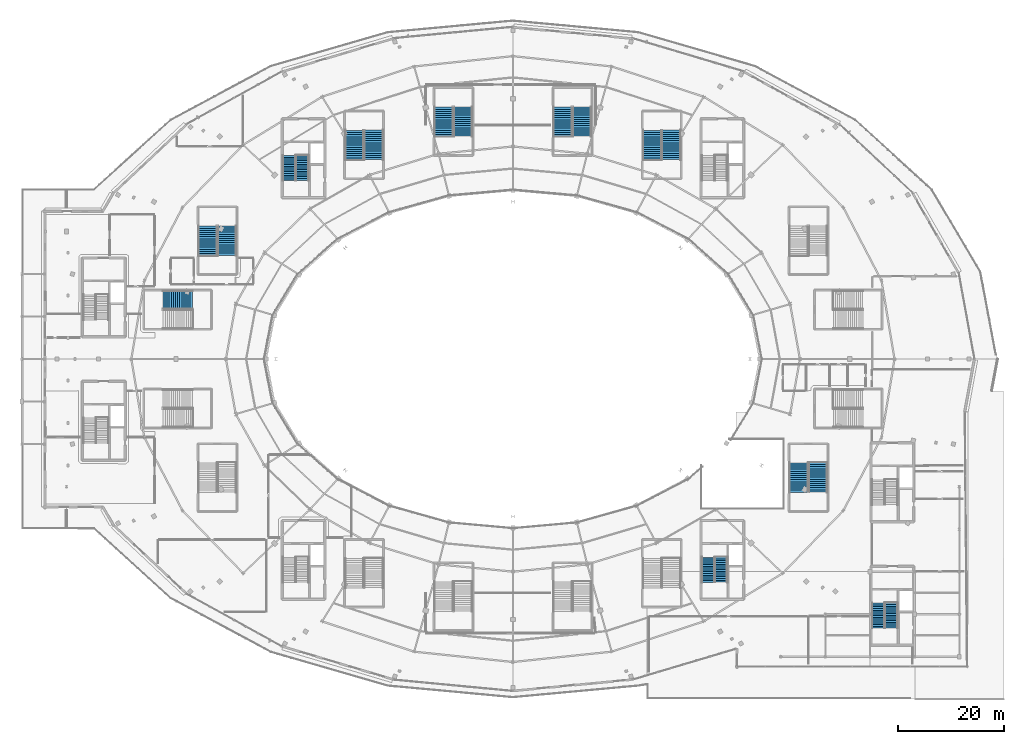
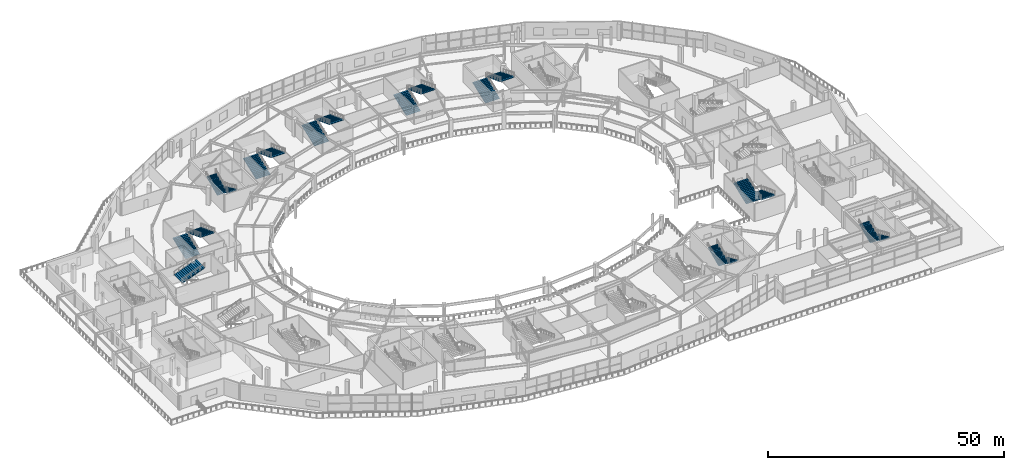
# One storey, part 84 of 107: 19 stair flights, 10 elements without a shape of their own.
"""IFC4 building model written with IfcOpenShell, lengths in metres."""

from ifc_helpers import new_model, si_unit, direction, frame, origin, place, context, subcontext, project, spatial, polyline, outline, extrude, material, type_object, element, aggregate, save


model = new_model("IFC4")

# Units and contexts
model_context = context("Model", 3, precision=1e-05, world=origin(), true_north=direction((0.0, 1.0)))
body_context = subcontext(model_context, "Body", "Model", "MODEL_VIEW")
ifc_project = project(units=[si_unit("LENGTHUNIT", "METRE"), si_unit("AREAUNIT", "SQUARE_METRE"), si_unit("VOLUMEUNIT", "CUBIC_METRE"), si_unit("PLANEANGLEUNIT", "RADIAN"), si_unit("MASSUNIT", "GRAM", prefix="KILO")], contexts=[model_context])

# Site, building, storey
site_placement = place(None, origin())
site = spatial("IfcSite", under=ifc_project, at=site_placement, CompositionType="ELEMENT")
building_placement = place(site_placement, origin())
building = spatial("IfcBuilding", under=site, at=building_placement, Name="Kalgoora Escarpment Arena", CompositionType="ELEMENT")
storey_placement = place(building_placement, frame((0.0, 0.0, 5.39990234375)))
storey = spatial("IfcBuildingStorey", under=building, at=storey_placement, Name="L01", CompositionType="ELEMENT", Elevation=5.39990234375)

# Stair, stair flights
ifc_material_1 = material(Name="Concrete N40 (fc' 40 MPa)", Category="concrete")
stair_type_1 = type_object("IfcStairType", Name="STR-EXIT-2", PredefinedType="HALF_TURN_STAIR", material=ifc_material_1)
stair_1_placement = place(storey_placement, origin())
stair_1 = element("IfcStair", 1, at=stair_1_placement, inside=storey, type_object=stair_type_1, Name="Fire-isolated exit stair ST06 (L01)", PredefinedType="HALF_TURN_STAIR")
ifc_material_2 = material(Name="Concrete N40 (fc' 40 MPa)", Category="concrete")
stair_flight_type_1 = type_object("IfcStairFlightType", Name="FLT-EXIT-2", PredefinedType="STRAIGHT", material=ifc_material_2)
stair_flight_1_placement = place(storey_placement, frame((131.5576171875, 26.72998046875, 0.0), z_axis=(0.0, 0.0, 1.0), x_axis=(0.0, -1.0, 0.0)))
stair_flight_1 = element("IfcStairFlight", 2, at=stair_flight_1_placement, type_object=stair_flight_type_1, Name="ST06 L01 lower flight", NumberOfRisers=15, NumberOfTreads=14, PredefinedType="STRAIGHT", RiserHeight=0.15, TreadLength=0.335, context=body_context, shape_type="SweptSolid", body=[
    extrude(outline(polyline([(0.0, 0.0), (0.0, 0.14990234375), (0.3349609375, 0.14990234375), (0.3349609375, 0.300048828125), (0.669921875, 0.300048828125), (0.669921875, 0.449951171875), (1.0048828125, 0.449951171875), (1.0048828125, 0.60009765625), (1.340087890625, 0.60009765625), (1.340087890625, 0.75), (1.675048828125, 0.75), (1.675048828125, 0.89990234375), (2.010009765625, 0.89990234375), (2.010009765625, 1.050048828125), (2.344970703125, 1.050048828125), (2.344970703125, 1.199951171875), (2.679931640625, 1.199951171875), (2.679931640625, 1.35009765625), (3.014892578125, 1.35009765625), (3.014892578125, 1.5), (3.35009765625, 1.5), (3.35009765625, 1.64990234375), (3.68505859375, 1.64990234375), (3.68505859375, 1.800048828125), (4.02001953125, 1.800048828125), (4.02001953125, 1.949951171875), (4.35498046875, 1.949951171875), (4.35498046875, 2.10009765625), (4.68994140625, 2.10009765625), (4.68994140625, 2.25), (4.68994140625, 1.913818359375), (0.415771484375, 0.0), (0.0, 0.0)])), frame((0.0, 1.1923828125, 0.0), z_axis=(0.0, -1.0, 0.0), x_axis=(1.0, 0.0, 0.0)), (0.0, 0.0, 1.0), 2.385009765625),
])
stair_flight_2_placement = place(storey_placement, frame((129.142578125, 21.97998046875, 2.25), z_axis=(0.0, 0.0, 1.0), x_axis=(0.0, 1.0, 0.0)))
stair_flight_2 = element("IfcStairFlight", 3, at=stair_flight_2_placement, type_object=stair_flight_type_1, Name="ST06 L01 upper flight", NumberOfRisers=15, NumberOfTreads=14, PredefinedType="STRAIGHT", RiserHeight=0.15, TreadLength=0.335, context=body_context, shape_type="SweptSolid", body=[
    extrude(outline(polyline([(0.0, 0.0), (0.0, 0.14990234375), (0.3349609375, 0.14990234375), (0.3349609375, 0.300048828125), (0.669921875, 0.300048828125), (0.669921875, 0.449951171875), (1.0048828125, 0.449951171875), (1.0048828125, 0.60009765625), (1.340087890625, 0.60009765625), (1.340087890625, 0.75), (1.675048828125, 0.75), (1.675048828125, 0.89990234375), (2.010009765625, 0.89990234375), (2.010009765625, 1.050048828125), (2.344970703125, 1.050048828125), (2.344970703125, 1.199951171875), (2.679931640625, 1.199951171875), (2.679931640625, 1.35009765625), (3.014892578125, 1.35009765625), (3.014892578125, 1.5), (3.35009765625, 1.5), (3.35009765625, 1.64990234375), (3.68505859375, 1.64990234375), (3.68505859375, 1.800048828125), (4.02001953125, 1.800048828125), (4.02001953125, 1.949951171875), (4.35498046875, 1.949951171875), (4.35498046875, 2.10009765625), (4.68994140625, 2.10009765625), (4.68994140625, 2.25), (4.68994140625, 1.913818359375), (0.415771484375, 0.0), (0.0, 0.0)])), frame((0.0, 1.1923828125, 0.0), z_axis=(0.0, -1.0, 0.0), x_axis=(1.0, 0.0, 0.0)), (0.0, 0.0, 1.0), 2.385009765625),
])
aggregate(stair_1, [stair_flight_1, stair_flight_2])

ifc_material_3 = material(Name="Concrete N40 (fc' 40 MPa)", Category="concrete")
stair_type_2 = type_object("IfcStairType", Name="STR-EXIT-3", PredefinedType="HALF_TURN_STAIR", material=ifc_material_3)
stair_2_placement = place(storey_placement, origin())
stair_2 = element("IfcStair", 4, at=stair_2_placement, inside=storey, type_object=stair_type_2, Name="Fire-isolated exit stair ST03 (L01)", PredefinedType="HALF_TURN_STAIR")
ifc_material_4 = material(Name="Concrete N40 (fc' 40 MPa)", Category="concrete")
stair_flight_type_2 = type_object("IfcStairFlightType", Name="FLT-EXIT-3", PredefinedType="STRAIGHT", material=ifc_material_4)
stair_flight_3_placement = place(storey_placement, frame((52.7548828125, 102.330078125, 0.0), z_axis=(0.0, 0.0, 1.0), x_axis=(0.0, -1.0, 0.0)))
stair_flight_3 = element("IfcStairFlight", 5, at=stair_flight_3_placement, type_object=stair_flight_type_2, Name="ST03 L01 lower flight", NumberOfRisers=15, NumberOfTreads=14, PredefinedType="STRAIGHT", RiserHeight=0.15, TreadLength=0.335, context=body_context, shape_type="SweptSolid", body=[
    extrude(outline(polyline([(0.0, 0.0), (0.0, 0.14990234375), (0.3349609375, 0.14990234375), (0.3349609375, 0.300048828125), (0.669921875, 0.300048828125), (0.669921875, 0.449951171875), (1.0048828125, 0.449951171875), (1.0048828125, 0.60009765625), (1.340087890625, 0.60009765625), (1.340087890625, 0.75), (1.675048828125, 0.75), (1.675048828125, 0.89990234375), (2.010009765625, 0.89990234375), (2.010009765625, 1.050048828125), (2.344970703125, 1.050048828125), (2.344970703125, 1.199951171875), (2.679931640625, 1.199951171875), (2.679931640625, 1.35009765625), (3.014892578125, 1.35009765625), (3.014892578125, 1.5), (3.35009765625, 1.5), (3.35009765625, 1.64990234375), (3.68505859375, 1.64990234375), (3.68505859375, 1.800048828125), (4.02001953125, 1.800048828125), (4.02001953125, 1.949951171875), (4.35498046875, 1.949951171875), (4.35498046875, 2.10009765625), (4.68994140625, 2.10009765625), (4.68994140625, 2.25), (4.68994140625, 1.913818359375), (0.415771484375, 0.0), (0.0, 0.0)])), frame((0.0, 1.19482421875, 0.0), z_axis=(0.0, -1.0, 0.0), x_axis=(1.0, 0.0, 0.0)), (0.0, 0.0, 1.0), 2.389892578125),
])
stair_flight_4_placement = place(storey_placement, frame((50.344970703125, 97.580078125, 2.25), z_axis=(0.0, 0.0, 1.0), x_axis=(0.0, 1.0, 0.0)))
stair_flight_4 = element("IfcStairFlight", 6, at=stair_flight_4_placement, type_object=stair_flight_type_2, Name="ST03 L01 upper flight", NumberOfRisers=15, NumberOfTreads=14, PredefinedType="STRAIGHT", RiserHeight=0.15, TreadLength=0.335, context=body_context, shape_type="SweptSolid", body=[
    extrude(outline(polyline([(0.0, 0.0), (0.0, 0.14990234375), (0.3349609375, 0.14990234375), (0.3349609375, 0.300048828125), (0.669921875, 0.300048828125), (0.669921875, 0.449951171875), (1.0048828125, 0.449951171875), (1.0048828125, 0.60009765625), (1.340087890625, 0.60009765625), (1.340087890625, 0.75), (1.675048828125, 0.75), (1.675048828125, 0.89990234375), (2.010009765625, 0.89990234375), (2.010009765625, 1.050048828125), (2.344970703125, 1.050048828125), (2.344970703125, 1.199951171875), (2.679931640625, 1.199951171875), (2.679931640625, 1.35009765625), (3.014892578125, 1.35009765625), (3.014892578125, 1.5), (3.35009765625, 1.5), (3.35009765625, 1.64990234375), (3.68505859375, 1.64990234375), (3.68505859375, 1.800048828125), (4.02001953125, 1.800048828125), (4.02001953125, 1.949951171875), (4.35498046875, 1.949951171875), (4.35498046875, 2.10009765625), (4.68994140625, 2.10009765625), (4.68994140625, 2.25), (4.68994140625, 1.913818359375), (0.415771484375, 0.0), (0.0, 0.0)])), frame((0.0, 1.19482421875, 0.0), z_axis=(0.0, -1.0, 0.0), x_axis=(1.0, 0.0, 0.0)), (0.0, 0.0, 1.0), 2.389892578125),
])
aggregate(stair_2, [stair_flight_3, stair_flight_4])

ifc_material_5 = material(Name="Concrete N40 (fc' 40 MPa)", Category="concrete")
stair_type_3 = type_object("IfcStairType", Name="STR-EXIT-4", PredefinedType="HALF_TURN_STAIR", material=ifc_material_5)
stair_3_placement = place(storey_placement, origin())
stair_3 = element("IfcStair", 7, at=stair_3_placement, inside=storey, type_object=stair_type_3, Name="Fire-isolated exit stair ST08 (L01)", PredefinedType="HALF_TURN_STAIR")
ifc_material_6 = material(Name="Concrete N40 (fc' 40 MPa)", Category="concrete")
stair_flight_type_3 = type_object("IfcStairFlightType", Name="FLT-EXIT-4", PredefinedType="STRAIGHT", material=ifc_material_6)
stair_flight_5_placement = place(storey_placement, frame((163.552490234375, 18.1298828125, 0.0), z_axis=(0.0, 0.0, 1.0), x_axis=(0.0, -1.0, 0.0)))
stair_flight_5 = element("IfcStairFlight", 8, at=stair_flight_5_placement, type_object=stair_flight_type_3, Name="ST08 L01 lower flight", NumberOfRisers=15, NumberOfTreads=14, PredefinedType="STRAIGHT", RiserHeight=0.15, TreadLength=0.335, context=body_context, shape_type="SweptSolid", body=[
    extrude(outline(polyline([(0.0, 0.0), (0.0, 0.14990234375), (0.3349609375, 0.14990234375), (0.3349609375, 0.300048828125), (0.669921875, 0.300048828125), (0.669921875, 0.449951171875), (1.0048828125, 0.449951171875), (1.0048828125, 0.60009765625), (1.340087890625, 0.60009765625), (1.340087890625, 0.75), (1.675048828125, 0.75), (1.675048828125, 0.89990234375), (2.010009765625, 0.89990234375), (2.010009765625, 1.050048828125), (2.344970703125, 1.050048828125), (2.344970703125, 1.199951171875), (2.679931640625, 1.199951171875), (2.679931640625, 1.35009765625), (3.014892578125, 1.35009765625), (3.014892578125, 1.5), (3.35009765625, 1.5), (3.35009765625, 1.64990234375), (3.68505859375, 1.64990234375), (3.68505859375, 1.800048828125), (4.02001953125, 1.800048828125), (4.02001953125, 1.949951171875), (4.35498046875, 1.949951171875), (4.35498046875, 2.10009765625), (4.68994140625, 2.10009765625), (4.68994140625, 2.25), (4.68994140625, 1.913818359375), (0.415771484375, 0.0), (0.0, 0.0)])), frame((0.0, 1.197509765625, 0.0), z_axis=(0.0, -1.0, 0.0), x_axis=(1.0, 0.0, 0.0)), (0.0, 0.0, 1.0), 2.39501953125),
])
stair_flight_6_placement = place(storey_placement, frame((161.1474609375, 13.3798828125, 2.25), z_axis=(0.0, 0.0, 1.0), x_axis=(0.0, 1.0, 0.0)))
stair_flight_6 = element("IfcStairFlight", 9, at=stair_flight_6_placement, type_object=stair_flight_type_3, Name="ST08 L01 upper flight", NumberOfRisers=15, NumberOfTreads=14, PredefinedType="STRAIGHT", RiserHeight=0.15, TreadLength=0.335, context=body_context, shape_type="SweptSolid", body=[
    extrude(outline(polyline([(0.0, 0.0), (0.0, 0.14990234375), (0.3349609375, 0.14990234375), (0.3349609375, 0.300048828125), (0.669921875, 0.300048828125), (0.669921875, 0.449951171875), (1.0048828125, 0.449951171875), (1.0048828125, 0.60009765625), (1.340087890625, 0.60009765625), (1.340087890625, 0.75), (1.675048828125, 0.75), (1.675048828125, 0.89990234375), (2.010009765625, 0.89990234375), (2.010009765625, 1.050048828125), (2.344970703125, 1.050048828125), (2.344970703125, 1.199951171875), (2.679931640625, 1.199951171875), (2.679931640625, 1.35009765625), (3.014892578125, 1.35009765625), (3.014892578125, 1.5), (3.35009765625, 1.5), (3.35009765625, 1.64990234375), (3.68505859375, 1.64990234375), (3.68505859375, 1.800048828125), (4.02001953125, 1.800048828125), (4.02001953125, 1.949951171875), (4.35498046875, 1.949951171875), (4.35498046875, 2.10009765625), (4.68994140625, 2.10009765625), (4.68994140625, 2.25), (4.68994140625, 1.913818359375), (0.415771484375, 0.0), (0.0, 0.0)])), frame((0.0, 1.197509765625, 0.0), z_axis=(0.0, -1.0, 0.0), x_axis=(1.0, 0.0, 0.0)), (0.0, 0.0, 1.0), 2.39501953125),
])
aggregate(stair_3, [stair_flight_5, stair_flight_6])

ifc_material_7 = material(Name="Precast concrete N50 (fc' 50 MPa)", Category="concrete")
stair_type_4 = type_object("IfcStairType", Name="STR-STAD-1", PredefinedType="HALF_TURN_STAIR", material=ifc_material_7)
stair_4_placement = place(storey_placement, origin())
stair_4 = element("IfcStair", 10, at=stair_4_placement, inside=storey, type_object=stair_type_4, Name="Fire-isolated exit stair ST09 (L01)", PredefinedType="HALF_TURN_STAIR")
ifc_material_8 = material(Name="Precast concrete N50 (fc' 50 MPa)", Category="concrete")
stair_flight_type_4 = type_object("IfcStairFlightType", Name="FLT-STAD-1", PredefinedType="STRAIGHT", material=ifc_material_8)
stair_flight_7_placement = place(storey_placement, frame((62.592529296875, 101.469970703125, 0.0), z_axis=(0.0, 0.0, 1.0), x_axis=(0.0, 1.0, 0.0)))
stair_flight_7 = element("IfcStairFlight", 11, at=stair_flight_7_placement, type_object=stair_flight_type_4, Name="ST09 L01 lower flight", NumberOfRisers=15, NumberOfTreads=14, PredefinedType="STRAIGHT", RiserHeight=0.15, TreadLength=0.395, context=body_context, shape_type="SweptSolid", body=[
    extrude(outline(polyline([(0.0, 0.0), (0.0, 0.14990234375), (0.39501953125, 0.14990234375), (0.39501953125, 0.300048828125), (0.7900390625, 0.300048828125), (0.7900390625, 0.449951171875), (1.18505859375, 0.449951171875), (1.18505859375, 0.60009765625), (1.580078125, 0.60009765625), (1.580078125, 0.75), (1.97509765625, 0.75), (1.97509765625, 0.89990234375), (2.3701171875, 0.89990234375), (2.3701171875, 1.050048828125), (2.764892578125, 1.050048828125), (2.764892578125, 1.199951171875), (3.159912109375, 1.199951171875), (3.159912109375, 1.35009765625), (3.554931640625, 1.35009765625), (3.554931640625, 1.5), (3.949951171875, 1.5), (3.949951171875, 1.64990234375), (4.344970703125, 1.64990234375), (4.344970703125, 1.800048828125), (4.739990234375, 1.800048828125), (4.739990234375, 1.949951171875), (5.135009765625, 1.949951171875), (5.135009765625, 2.10009765625), (5.530029296875, 2.10009765625), (5.530029296875, 2.25), (5.530029296875, 1.918212890625), (0.478759765625, 0.0), (0.0, 0.0)])), frame((0.0, 1.74267578125, 0.0), z_axis=(0.0, -1.0, 0.0), x_axis=(1.0, 0.0, 0.0)), (0.0, 0.0, 1.0), 3.485107421875),
])
stair_flight_8_placement = place(storey_placement, frame((66.20751953125, 107.06005859375, 2.25), z_axis=(0.0, 0.0, 1.0), x_axis=(0.0, -1.0, 0.0)))
stair_flight_8 = element("IfcStairFlight", 12, at=stair_flight_8_placement, type_object=stair_flight_type_4, Name="ST09 L01 upper flight", NumberOfRisers=15, NumberOfTreads=14, PredefinedType="STRAIGHT", RiserHeight=0.15, TreadLength=0.395, context=body_context, shape_type="SweptSolid", body=[
    extrude(outline(polyline([(0.0, 0.0), (0.0, 0.14990234375), (0.39501953125, 0.14990234375), (0.39501953125, 0.300048828125), (0.7900390625, 0.300048828125), (0.7900390625, 0.449951171875), (1.18505859375, 0.449951171875), (1.18505859375, 0.60009765625), (1.580078125, 0.60009765625), (1.580078125, 0.75), (1.97509765625, 0.75), (1.97509765625, 0.89990234375), (2.3701171875, 0.89990234375), (2.3701171875, 1.050048828125), (2.764892578125, 1.050048828125), (2.764892578125, 1.199951171875), (3.159912109375, 1.199951171875), (3.159912109375, 1.35009765625), (3.554931640625, 1.35009765625), (3.554931640625, 1.5), (3.949951171875, 1.5), (3.949951171875, 1.64990234375), (4.344970703125, 1.64990234375), (4.344970703125, 1.800048828125), (4.739990234375, 1.800048828125), (4.739990234375, 1.949951171875), (5.135009765625, 1.949951171875), (5.135009765625, 2.10009765625), (5.530029296875, 2.10009765625), (5.530029296875, 2.25), (5.530029296875, 1.918212890625), (0.478759765625, 0.0), (0.0, 0.0)])), frame((0.0, 1.74267578125, 0.0), z_axis=(0.0, -1.0, 0.0), x_axis=(1.0, 0.0, 0.0)), (0.0, 0.0, 1.0), 3.485107421875),
])
aggregate(stair_4, [stair_flight_7, stair_flight_8])

# Stair, stair flight
stair_5_placement = place(storey_placement, origin())
stair_5 = element("IfcStair", 13, at=stair_5_placement, inside=storey, type_object=stair_type_4, Name="Fire-isolated exit stair ST17 (L01)", PredefinedType="HALF_TURN_STAIR")
stair_flight_9_placement = place(storey_placement, frame((26.5400390625, 75.107421875, 2.25), z_axis=(0.0, 0.0, 1.0), x_axis=(1.0, 0.0, 0.0)))
stair_flight_9 = element("IfcStairFlight", 14, at=stair_flight_9_placement, type_object=stair_flight_type_4, Name="ST17 L01 upper flight", NumberOfRisers=15, NumberOfTreads=14, PredefinedType="STRAIGHT", RiserHeight=0.15, TreadLength=0.395, context=body_context, shape_type="SweptSolid", body=[
    extrude(outline(polyline([(0.0, 0.0), (0.0, 0.14990234375), (0.39501953125, 0.14990234375), (0.39501953125, 0.300048828125), (0.7900390625, 0.300048828125), (0.7900390625, 0.449951171875), (1.18505859375, 0.449951171875), (1.18505859375, 0.60009765625), (1.580078125, 0.60009765625), (1.580078125, 0.75), (1.97509765625, 0.75), (1.97509765625, 0.89990234375), (2.3701171875, 0.89990234375), (2.3701171875, 1.050048828125), (2.764892578125, 1.050048828125), (2.764892578125, 1.199951171875), (3.159912109375, 1.199951171875), (3.159912109375, 1.35009765625), (3.554931640625, 1.35009765625), (3.554931640625, 1.5), (3.949951171875, 1.5), (3.949951171875, 1.64990234375), (4.344970703125, 1.64990234375), (4.344970703125, 1.800048828125), (4.739990234375, 1.800048828125), (4.739990234375, 1.949951171875), (5.135009765625, 1.949951171875), (5.135009765625, 2.10009765625), (5.530029296875, 2.10009765625), (5.530029296875, 2.25), (5.530029296875, 1.918212890625), (0.478759765625, 0.0), (0.0, 0.0)])), frame((0.0, 1.74267578125, 0.0), z_axis=(0.0, -1.0, 0.0), x_axis=(1.0, 0.0, 0.0)), (0.0, 0.0, 1.0), 3.485107421875),
])
aggregate(stair_5, [stair_flight_9])

# Stair, stair flights
ifc_material_9 = material(Name="Precast concrete N50 (fc' 50 MPa)", Category="concrete")
stair_type_5 = type_object("IfcStairType", Name="STR-STAD-2", PredefinedType="HALF_TURN_STAIR", material=ifc_material_9)
stair_6_placement = place(storey_placement, origin())
stair_6 = element("IfcStair", 15, at=stair_6_placement, inside=storey, type_object=stair_type_5, Name="Fire-isolated exit stair ST10 (L01)", PredefinedType="HALF_TURN_STAIR")
ifc_material_10 = material(Name="Precast concrete N50 (fc' 50 MPa)", Category="concrete")
stair_flight_type_5 = type_object("IfcStairFlightType", Name="FLT-STAD-2", PredefinedType="STRAIGHT", material=ifc_material_10)
stair_flight_10_placement = place(storey_placement, frame((79.39501953125, 105.8701171875, 0.0), z_axis=(0.0, 0.0, 1.0), x_axis=(0.0, 1.0, 0.0)))
stair_flight_10 = element("IfcStairFlight", 16, at=stair_flight_10_placement, type_object=stair_flight_type_5, Name="ST10 L01 lower flight", NumberOfRisers=15, NumberOfTreads=14, PredefinedType="STRAIGHT", RiserHeight=0.15, TreadLength=0.395, context=body_context, shape_type="SweptSolid", body=[
    extrude(outline(polyline([(0.0, 0.0), (0.0, 0.14990234375), (0.39501953125, 0.14990234375), (0.39501953125, 0.300048828125), (0.7900390625, 0.300048828125), (0.7900390625, 0.449951171875), (1.18505859375, 0.449951171875), (1.18505859375, 0.60009765625), (1.580078125, 0.60009765625), (1.580078125, 0.75), (1.97509765625, 0.75), (1.97509765625, 0.89990234375), (2.3701171875, 0.89990234375), (2.3701171875, 1.050048828125), (2.764892578125, 1.050048828125), (2.764892578125, 1.199951171875), (3.159912109375, 1.199951171875), (3.159912109375, 1.35009765625), (3.554931640625, 1.35009765625), (3.554931640625, 1.5), (3.949951171875, 1.5), (3.949951171875, 1.64990234375), (4.344970703125, 1.64990234375), (4.344970703125, 1.800048828125), (4.739990234375, 1.800048828125), (4.739990234375, 1.949951171875), (5.135009765625, 1.949951171875), (5.135009765625, 2.10009765625), (5.530029296875, 2.10009765625), (5.530029296875, 2.25), (5.530029296875, 1.918212890625), (0.478759765625, 0.0), (0.0, 0.0)])), frame((0.0, 1.7451171875, 0.0), z_axis=(0.0, -1.0, 0.0), x_axis=(1.0, 0.0, 0.0)), (0.0, 0.0, 1.0), 3.489990234375),
])
stair_flight_11_placement = place(storey_placement, frame((83.0048828125, 111.4599609375, 2.25), z_axis=(0.0, 0.0, 1.0), x_axis=(0.0, -1.0, 0.0)))
stair_flight_11 = element("IfcStairFlight", 17, at=stair_flight_11_placement, type_object=stair_flight_type_5, Name="ST10 L01 upper flight", NumberOfRisers=15, NumberOfTreads=14, PredefinedType="STRAIGHT", RiserHeight=0.15, TreadLength=0.395, context=body_context, shape_type="SweptSolid", body=[
    extrude(outline(polyline([(0.0, 0.0), (0.0, 0.14990234375), (0.39501953125, 0.14990234375), (0.39501953125, 0.300048828125), (0.7900390625, 0.300048828125), (0.7900390625, 0.449951171875), (1.18505859375, 0.449951171875), (1.18505859375, 0.60009765625), (1.580078125, 0.60009765625), (1.580078125, 0.75), (1.97509765625, 0.75), (1.97509765625, 0.89990234375), (2.3701171875, 0.89990234375), (2.3701171875, 1.050048828125), (2.764892578125, 1.050048828125), (2.764892578125, 1.199951171875), (3.159912109375, 1.199951171875), (3.159912109375, 1.35009765625), (3.554931640625, 1.35009765625), (3.554931640625, 1.5), (3.949951171875, 1.5), (3.949951171875, 1.64990234375), (4.344970703125, 1.64990234375), (4.344970703125, 1.800048828125), (4.739990234375, 1.800048828125), (4.739990234375, 1.949951171875), (5.135009765625, 1.949951171875), (5.135009765625, 2.10009765625), (5.530029296875, 2.10009765625), (5.530029296875, 2.25), (5.530029296875, 1.918212890625), (0.478759765625, 0.0), (0.0, 0.0)])), frame((0.0, 1.7451171875, 0.0), z_axis=(0.0, -1.0, 0.0), x_axis=(1.0, 0.0, 0.0)), (0.0, 0.0, 1.0), 3.489990234375),
])
aggregate(stair_6, [stair_flight_10, stair_flight_11])

ifc_material_11 = material(Name="Precast concrete N50 (fc' 50 MPa)", Category="concrete")
stair_type_6 = type_object("IfcStairType", Name="STR-STAD-3", PredefinedType="HALF_TURN_STAIR", material=ifc_material_11)
stair_7_placement = place(storey_placement, origin())
stair_7 = element("IfcStair", 18, at=stair_7_placement, inside=storey, type_object=stair_type_6, Name="Fire-isolated exit stair ST11 (L01)", PredefinedType="HALF_TURN_STAIR")
ifc_material_12 = material(Name="Precast concrete N50 (fc' 50 MPa)", Category="concrete")
stair_flight_type_6 = type_object("IfcStairFlightType", Name="FLT-STAD-3", PredefinedType="STRAIGHT", material=ifc_material_12)
stair_flight_12_placement = place(storey_placement, frame((101.797607421875, 105.8701171875, 0.0), z_axis=(0.0, 0.0, 1.0), x_axis=(0.0, 1.0, 0.0)))
stair_flight_12 = element("IfcStairFlight", 19, at=stair_flight_12_placement, type_object=stair_flight_type_6, Name="ST11 L01 lower flight", NumberOfRisers=15, NumberOfTreads=14, PredefinedType="STRAIGHT", RiserHeight=0.15, TreadLength=0.395, context=body_context, shape_type="SweptSolid", body=[
    extrude(outline(polyline([(0.0, 0.0), (0.0, 0.14990234375), (0.39501953125, 0.14990234375), (0.39501953125, 0.300048828125), (0.7900390625, 0.300048828125), (0.7900390625, 0.449951171875), (1.18505859375, 0.449951171875), (1.18505859375, 0.60009765625), (1.580078125, 0.60009765625), (1.580078125, 0.75), (1.97509765625, 0.75), (1.97509765625, 0.89990234375), (2.3701171875, 0.89990234375), (2.3701171875, 1.050048828125), (2.764892578125, 1.050048828125), (2.764892578125, 1.199951171875), (3.159912109375, 1.199951171875), (3.159912109375, 1.35009765625), (3.554931640625, 1.35009765625), (3.554931640625, 1.5), (3.949951171875, 1.5), (3.949951171875, 1.64990234375), (4.344970703125, 1.64990234375), (4.344970703125, 1.800048828125), (4.739990234375, 1.800048828125), (4.739990234375, 1.949951171875), (5.135009765625, 1.949951171875), (5.135009765625, 2.10009765625), (5.530029296875, 2.10009765625), (5.530029296875, 2.25), (5.530029296875, 1.918212890625), (0.478759765625, 0.0), (0.0, 0.0)])), frame((0.0, 1.74755859375, 0.0), z_axis=(0.0, -1.0, 0.0), x_axis=(1.0, 0.0, 0.0)), (0.0, 0.0, 1.0), 3.4951171875),
])
stair_flight_13_placement = place(storey_placement, frame((105.402587890625, 111.4599609375, 2.25), z_axis=(0.0, 0.0, 1.0), x_axis=(0.0, -1.0, 0.0)))
stair_flight_13 = element("IfcStairFlight", 20, at=stair_flight_13_placement, type_object=stair_flight_type_6, Name="ST11 L01 upper flight", NumberOfRisers=15, NumberOfTreads=14, PredefinedType="STRAIGHT", RiserHeight=0.15, TreadLength=0.395, context=body_context, shape_type="SweptSolid", body=[
    extrude(outline(polyline([(0.0, 0.0), (0.0, 0.14990234375), (0.39501953125, 0.14990234375), (0.39501953125, 0.300048828125), (0.7900390625, 0.300048828125), (0.7900390625, 0.449951171875), (1.18505859375, 0.449951171875), (1.18505859375, 0.60009765625), (1.580078125, 0.60009765625), (1.580078125, 0.75), (1.97509765625, 0.75), (1.97509765625, 0.89990234375), (2.3701171875, 0.89990234375), (2.3701171875, 1.050048828125), (2.764892578125, 1.050048828125), (2.764892578125, 1.199951171875), (3.159912109375, 1.199951171875), (3.159912109375, 1.35009765625), (3.554931640625, 1.35009765625), (3.554931640625, 1.5), (3.949951171875, 1.5), (3.949951171875, 1.64990234375), (4.344970703125, 1.64990234375), (4.344970703125, 1.800048828125), (4.739990234375, 1.800048828125), (4.739990234375, 1.949951171875), (5.135009765625, 1.949951171875), (5.135009765625, 2.10009765625), (5.530029296875, 2.10009765625), (5.530029296875, 2.25), (5.530029296875, 1.918212890625), (0.478759765625, 0.0), (0.0, 0.0)])), frame((0.0, 1.74755859375, 0.0), z_axis=(0.0, -1.0, 0.0), x_axis=(1.0, 0.0, 0.0)), (0.0, 0.0, 1.0), 3.4951171875),
])
aggregate(stair_7, [stair_flight_12, stair_flight_13])

stair_8_placement = place(storey_placement, origin())
stair_8 = element("IfcStair", 21, at=stair_8_placement, inside=storey, type_object=stair_type_6, Name="Fire-isolated exit stair ST19 (L01)", PredefinedType="HALF_TURN_STAIR")
stair_flight_14_placement = place(storey_placement, frame((34.99755859375, 83.469970703125, 0.0), z_axis=(0.0, 0.0, 1.0), x_axis=(0.0, 1.0, 0.0)))
stair_flight_14 = element("IfcStairFlight", 22, at=stair_flight_14_placement, type_object=stair_flight_type_6, Name="ST19 L01 lower flight", NumberOfRisers=15, NumberOfTreads=14, PredefinedType="STRAIGHT", RiserHeight=0.15, TreadLength=0.395, context=body_context, shape_type="SweptSolid", body=[
    extrude(outline(polyline([(0.0, 0.0), (0.0, 0.14990234375), (0.39501953125, 0.14990234375), (0.39501953125, 0.300048828125), (0.7900390625, 0.300048828125), (0.7900390625, 0.449951171875), (1.18505859375, 0.449951171875), (1.18505859375, 0.60009765625), (1.580078125, 0.60009765625), (1.580078125, 0.75), (1.97509765625, 0.75), (1.97509765625, 0.89990234375), (2.3701171875, 0.89990234375), (2.3701171875, 1.050048828125), (2.764892578125, 1.050048828125), (2.764892578125, 1.199951171875), (3.159912109375, 1.199951171875), (3.159912109375, 1.35009765625), (3.554931640625, 1.35009765625), (3.554931640625, 1.5), (3.949951171875, 1.5), (3.949951171875, 1.64990234375), (4.344970703125, 1.64990234375), (4.344970703125, 1.800048828125), (4.739990234375, 1.800048828125), (4.739990234375, 1.949951171875), (5.135009765625, 1.949951171875), (5.135009765625, 2.10009765625), (5.530029296875, 2.10009765625), (5.530029296875, 2.25), (5.530029296875, 1.918212890625), (0.478759765625, 0.0), (0.0, 0.0)])), frame((0.0, 1.74755859375, 0.0), z_axis=(0.0, -1.0, 0.0), x_axis=(1.0, 0.0, 0.0)), (0.0, 0.0, 1.0), 3.4951171875),
])
stair_flight_15_placement = place(storey_placement, frame((38.6025390625, 89.06005859375, 2.25), z_axis=(0.0, 0.0, 1.0), x_axis=(0.0, -1.0, 0.0)))
stair_flight_15 = element("IfcStairFlight", 23, at=stair_flight_15_placement, type_object=stair_flight_type_6, Name="ST19 L01 upper flight", NumberOfRisers=15, NumberOfTreads=14, PredefinedType="STRAIGHT", RiserHeight=0.15, TreadLength=0.395, context=body_context, shape_type="SweptSolid", body=[
    extrude(outline(polyline([(0.0, 0.0), (0.0, 0.14990234375), (0.39501953125, 0.14990234375), (0.39501953125, 0.300048828125), (0.7900390625, 0.300048828125), (0.7900390625, 0.449951171875), (1.18505859375, 0.449951171875), (1.18505859375, 0.60009765625), (1.580078125, 0.60009765625), (1.580078125, 0.75), (1.97509765625, 0.75), (1.97509765625, 0.89990234375), (2.3701171875, 0.89990234375), (2.3701171875, 1.050048828125), (2.764892578125, 1.050048828125), (2.764892578125, 1.199951171875), (3.159912109375, 1.199951171875), (3.159912109375, 1.35009765625), (3.554931640625, 1.35009765625), (3.554931640625, 1.5), (3.949951171875, 1.5), (3.949951171875, 1.64990234375), (4.344970703125, 1.64990234375), (4.344970703125, 1.800048828125), (4.739990234375, 1.800048828125), (4.739990234375, 1.949951171875), (5.135009765625, 1.949951171875), (5.135009765625, 2.10009765625), (5.530029296875, 2.10009765625), (5.530029296875, 2.25), (5.530029296875, 1.918212890625), (0.478759765625, 0.0), (0.0, 0.0)])), frame((0.0, 1.74755859375, 0.0), z_axis=(0.0, -1.0, 0.0), x_axis=(1.0, 0.0, 0.0)), (0.0, 0.0, 1.0), 3.4951171875),
])
aggregate(stair_8, [stair_flight_14, stair_flight_15])

ifc_material_13 = material(Name="Precast concrete N50 (fc' 50 MPa)", Category="concrete")
stair_type_7 = type_object("IfcStairType", Name="STR-STAD-4", PredefinedType="HALF_TURN_STAIR", material=ifc_material_13)
stair_9_placement = place(storey_placement, origin())
stair_9 = element("IfcStair", 24, at=stair_9_placement, inside=storey, type_object=stair_type_7, Name="Fire-isolated exit stair ST12 (L01)", PredefinedType="HALF_TURN_STAIR")
ifc_material_14 = material(Name="Precast concrete N50 (fc' 50 MPa)", Category="concrete")
stair_flight_type_7 = type_object("IfcStairFlightType", Name="FLT-STAD-4", PredefinedType="STRAIGHT", material=ifc_material_14)
stair_flight_16_placement = place(storey_placement, frame((118.60009765625, 101.469970703125, 0.0), z_axis=(0.0, 0.0, 1.0), x_axis=(0.0, 1.0, 0.0)))
stair_flight_16 = element("IfcStairFlight", 25, at=stair_flight_16_placement, type_object=stair_flight_type_7, Name="ST12 L01 lower flight", NumberOfRisers=15, NumberOfTreads=14, PredefinedType="STRAIGHT", RiserHeight=0.15, TreadLength=0.395, context=body_context, shape_type="SweptSolid", body=[
    extrude(outline(polyline([(0.0, 0.0), (0.0, 0.14990234375), (0.39501953125, 0.14990234375), (0.39501953125, 0.300048828125), (0.7900390625, 0.300048828125), (0.7900390625, 0.449951171875), (1.18505859375, 0.449951171875), (1.18505859375, 0.60009765625), (1.580078125, 0.60009765625), (1.580078125, 0.75), (1.97509765625, 0.75), (1.97509765625, 0.89990234375), (2.3701171875, 0.89990234375), (2.3701171875, 1.050048828125), (2.764892578125, 1.050048828125), (2.764892578125, 1.199951171875), (3.159912109375, 1.199951171875), (3.159912109375, 1.35009765625), (3.554931640625, 1.35009765625), (3.554931640625, 1.5), (3.949951171875, 1.5), (3.949951171875, 1.64990234375), (4.344970703125, 1.64990234375), (4.344970703125, 1.800048828125), (4.739990234375, 1.800048828125), (4.739990234375, 1.949951171875), (5.135009765625, 1.949951171875), (5.135009765625, 2.10009765625), (5.530029296875, 2.10009765625), (5.530029296875, 2.25), (5.530029296875, 1.918212890625), (0.478759765625, 0.0), (0.0, 0.0)])), frame((0.0, 1.75, 0.0), z_axis=(0.0, -1.0, 0.0), x_axis=(1.0, 0.0, 0.0)), (0.0, 0.0, 1.0), 3.5),
])
stair_flight_17_placement = place(storey_placement, frame((122.199951171875, 107.06005859375, 2.25), z_axis=(0.0, 0.0, 1.0), x_axis=(0.0, -1.0, 0.0)))
stair_flight_17 = element("IfcStairFlight", 26, at=stair_flight_17_placement, type_object=stair_flight_type_7, Name="ST12 L01 upper flight", NumberOfRisers=15, NumberOfTreads=14, PredefinedType="STRAIGHT", RiserHeight=0.15, TreadLength=0.395, context=body_context, shape_type="SweptSolid", body=[
    extrude(outline(polyline([(0.0, 0.0), (0.0, 0.14990234375), (0.39501953125, 0.14990234375), (0.39501953125, 0.300048828125), (0.7900390625, 0.300048828125), (0.7900390625, 0.449951171875), (1.18505859375, 0.449951171875), (1.18505859375, 0.60009765625), (1.580078125, 0.60009765625), (1.580078125, 0.75), (1.97509765625, 0.75), (1.97509765625, 0.89990234375), (2.3701171875, 0.89990234375), (2.3701171875, 1.050048828125), (2.764892578125, 1.050048828125), (2.764892578125, 1.199951171875), (3.159912109375, 1.199951171875), (3.159912109375, 1.35009765625), (3.554931640625, 1.35009765625), (3.554931640625, 1.5), (3.949951171875, 1.5), (3.949951171875, 1.64990234375), (4.344970703125, 1.64990234375), (4.344970703125, 1.800048828125), (4.739990234375, 1.800048828125), (4.739990234375, 1.949951171875), (5.135009765625, 1.949951171875), (5.135009765625, 2.10009765625), (5.530029296875, 2.10009765625), (5.530029296875, 2.25), (5.530029296875, 1.918212890625), (0.478759765625, 0.0), (0.0, 0.0)])), frame((0.0, 1.75, 0.0), z_axis=(0.0, -1.0, 0.0), x_axis=(1.0, 0.0, 0.0)), (0.0, 0.0, 1.0), 3.5),
])
aggregate(stair_9, [stair_flight_16, stair_flight_17])

stair_10_placement = place(storey_placement, origin())
stair_10 = element("IfcStair", 27, at=stair_10_placement, inside=storey, type_object=stair_type_7, Name="Fire-isolated exit stair ST24 (L01)", PredefinedType="HALF_TURN_STAIR")
stair_flight_18_placement = place(storey_placement, frame((149.800048828125, 44.530029296875, 0.0), z_axis=(0.0, 0.0, 1.0), x_axis=(0.0, -1.0, 0.0)))
stair_flight_18 = element("IfcStairFlight", 28, at=stair_flight_18_placement, type_object=stair_flight_type_7, Name="ST24 L01 lower flight", NumberOfRisers=15, NumberOfTreads=14, PredefinedType="STRAIGHT", RiserHeight=0.15, TreadLength=0.395, context=body_context, shape_type="SweptSolid", body=[
    extrude(outline(polyline([(0.0, 0.0), (0.0, 0.14990234375), (0.39501953125, 0.14990234375), (0.39501953125, 0.300048828125), (0.7900390625, 0.300048828125), (0.7900390625, 0.449951171875), (1.18505859375, 0.449951171875), (1.18505859375, 0.60009765625), (1.580078125, 0.60009765625), (1.580078125, 0.75), (1.97509765625, 0.75), (1.97509765625, 0.89990234375), (2.3701171875, 0.89990234375), (2.3701171875, 1.050048828125), (2.764892578125, 1.050048828125), (2.764892578125, 1.199951171875), (3.159912109375, 1.199951171875), (3.159912109375, 1.35009765625), (3.554931640625, 1.35009765625), (3.554931640625, 1.5), (3.949951171875, 1.5), (3.949951171875, 1.64990234375), (4.344970703125, 1.64990234375), (4.344970703125, 1.800048828125), (4.739990234375, 1.800048828125), (4.739990234375, 1.949951171875), (5.135009765625, 1.949951171875), (5.135009765625, 2.10009765625), (5.530029296875, 2.10009765625), (5.530029296875, 2.25), (5.530029296875, 1.918212890625), (0.478759765625, 0.0), (0.0, 0.0)])), frame((0.0, 1.75, 0.0), z_axis=(0.0, -1.0, 0.0), x_axis=(1.0, 0.0, 0.0)), (0.0, 0.0, 1.0), 3.5),
])
stair_flight_19_placement = place(storey_placement, frame((146.199951171875, 38.93994140625, 2.25), z_axis=(0.0, 0.0, 1.0), x_axis=(0.0, 1.0, 0.0)))
stair_flight_19 = element("IfcStairFlight", 29, at=stair_flight_19_placement, type_object=stair_flight_type_7, Name="ST24 L01 upper flight", NumberOfRisers=15, NumberOfTreads=14, PredefinedType="STRAIGHT", RiserHeight=0.15, TreadLength=0.395, context=body_context, shape_type="SweptSolid", body=[
    extrude(outline(polyline([(0.0, 0.0), (0.0, 0.14990234375), (0.39501953125, 0.14990234375), (0.39501953125, 0.300048828125), (0.7900390625, 0.300048828125), (0.7900390625, 0.449951171875), (1.18505859375, 0.449951171875), (1.18505859375, 0.60009765625), (1.580078125, 0.60009765625), (1.580078125, 0.75), (1.97509765625, 0.75), (1.97509765625, 0.89990234375), (2.3701171875, 0.89990234375), (2.3701171875, 1.050048828125), (2.764892578125, 1.050048828125), (2.764892578125, 1.199951171875), (3.159912109375, 1.199951171875), (3.159912109375, 1.35009765625), (3.554931640625, 1.35009765625), (3.554931640625, 1.5), (3.949951171875, 1.5), (3.949951171875, 1.64990234375), (4.344970703125, 1.64990234375), (4.344970703125, 1.800048828125), (4.739990234375, 1.800048828125), (4.739990234375, 1.949951171875), (5.135009765625, 1.949951171875), (5.135009765625, 2.10009765625), (5.530029296875, 2.10009765625), (5.530029296875, 2.25), (5.530029296875, 1.918212890625), (0.478759765625, 0.0), (0.0, 0.0)])), frame((0.0, 1.75, 0.0), z_axis=(0.0, -1.0, 0.0), x_axis=(1.0, 0.0, 0.0)), (0.0, 0.0, 1.0), 3.5),
])
aggregate(stair_10, [stair_flight_18, stair_flight_19])

save(model, "model.ifc")
